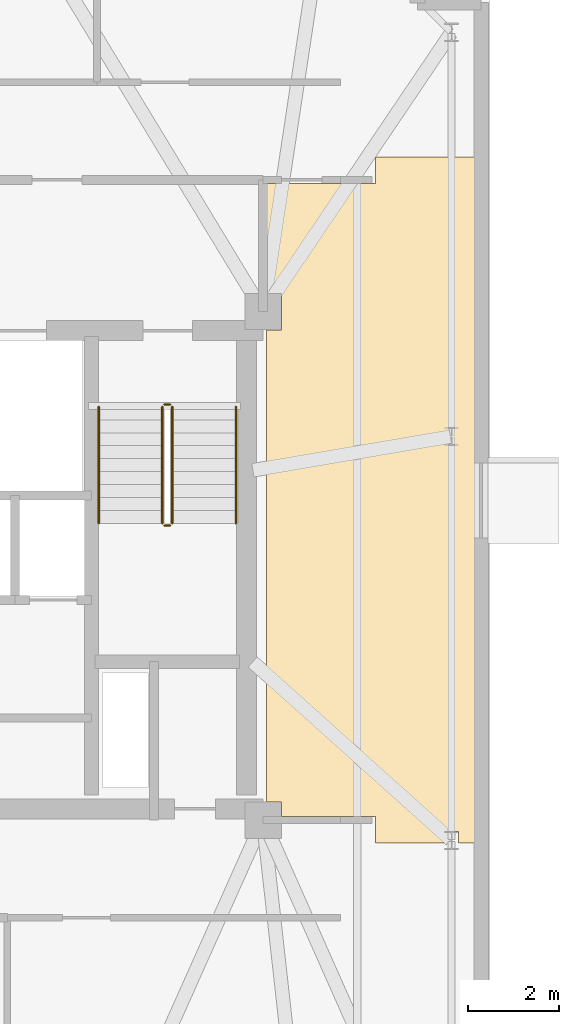
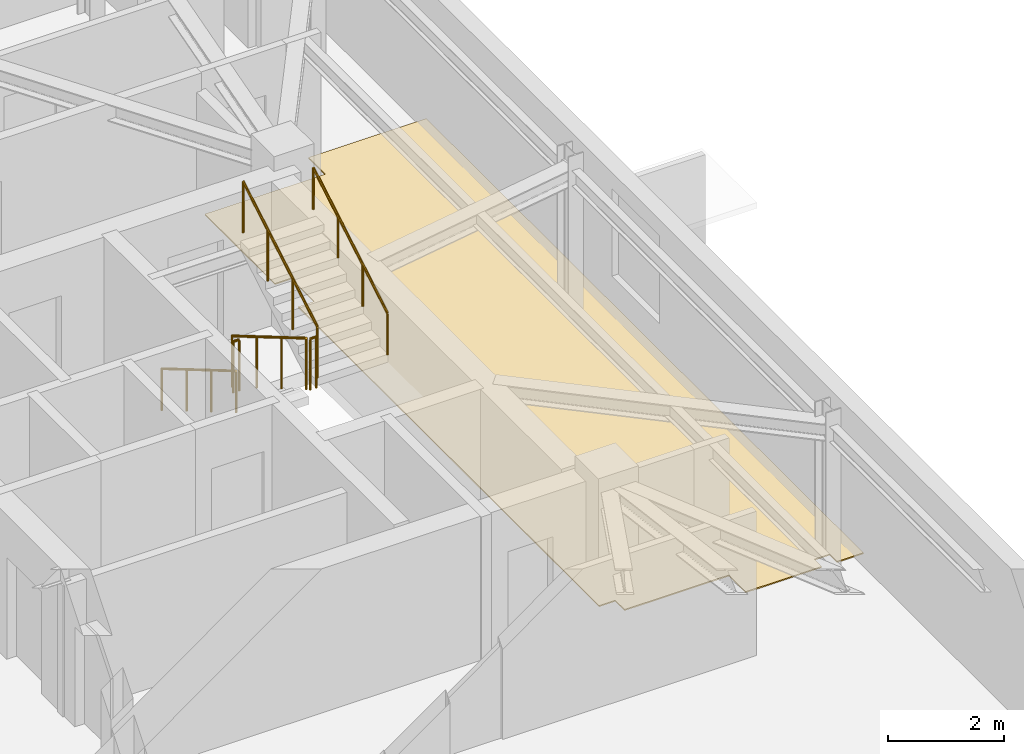
# One storey, part 11 of 11: 6 railings, 1 covering.
"""IFC4 building model written with IfcOpenShell, lengths in metres."""

from ifc_helpers import new_model, si_unit, direction, frame, origin, origin_2d, place, context, subcontext, project, spatial, polyline, circle, outline, extrude, material, layer, layer_set, type_object, element, save


model = new_model("IFC4")

# Units and contexts
model_context = context("Model", 3, precision=1e-05, world=origin(), true_north=direction((0.0, 1.0)))
body_context = subcontext(model_context, "Body", "Model", "MODEL_VIEW")
ifc_project = project(units=[si_unit("LENGTHUNIT", "METRE"), si_unit("AREAUNIT", "SQUARE_METRE"), si_unit("VOLUMEUNIT", "CUBIC_METRE"), si_unit("PLANEANGLEUNIT", "RADIAN"), si_unit("MASSUNIT", "GRAM", prefix="KILO")], contexts=[model_context])

# Site, building, storey
site_placement = place(None, origin())
site = spatial("IfcSite", under=ifc_project, at=site_placement, CompositionType="ELEMENT")
building_placement = place(site_placement, origin())
building = spatial("IfcBuilding", under=site, at=building_placement, Name="Qobustan Lattice House", CompositionType="ELEMENT")
storey_placement = place(building_placement, frame((0.0, 0.0, 248.39990234375)))
storey = spatial("IfcBuildingStorey", under=building, at=storey_placement, Name="L70", CompositionType="ELEMENT", Elevation=248.39990234375)

# Covering
ifc_material_1 = material(Name="Honed Absheron stone terrazzo flooring", Category="masonry")
ifc_layer = layer(ifc_material_1, 0.02490234375)
ifc_layer_set = layer_set([ifc_layer], Name="Honed Absheron stone terrazzo flooring")
covering_type = type_object("IfcCoveringType", Name="COV-TERRAZZO-FLR", PredefinedType="FLOORING", material=ifc_layer_set)
covering_placement = place(storey_placement, origin())
element("IfcCovering", 1, at=covering_placement, inside=storey, type_object=covering_type, Name="L70 Communal study lounge stone terrazzo flooring", PredefinedType="FLOORING", context=body_context, shape_type="SweptSolid", body=[
    extrude(outline(polyline([(21.280029296875, -5.52001953125), (21.280029296875, -6.10009765625), (22.798095703125, -6.10009765625), (22.798095703125, -5.847900390625), (23.10205078125, -5.847900390625), (23.10205078125, -6.10009765625), (23.6298828125, -6.10009765625), (23.6298828125, 9.0), (21.280029296875, 9.0), (21.280029296875, 8.419921875), (18.8798828125, 8.419921875), (18.8798828125, 6.001953125), (19.201904296875, 6.001953125), (19.201904296875, 5.197998046875), (18.8798828125, 5.197998046875), (18.8798828125, -5.197998046875), (19.201904296875, -5.197998046875), (19.201904296875, -5.52001953125), (21.280029296875, -5.52001953125)])), origin(), (0.0, 0.0, 1.0), 0.025146484375),
])

# Railings
ifc_material_2 = material(Name="Brushed stainless steel handrail", Category="steel")
railing_type_1 = type_object("IfcRailingType", Name="RAL-HR-920", PredefinedType="HANDRAIL", material=ifc_material_2)
railing_1_placement = place(storey_placement, frame((15.179931640625, 3.5, 0.16748046875)))
element("IfcRailing", 2, at=railing_1_placement, inside=storey, type_object=railing_type_1, Name="L70 ST-E1 stair handrail 1", PredefinedType="HANDRAIL", context=body_context, shape_type="SweptSolid", body=[
    extrude(circle(Radius=0.02392578125, at=origin_2d()), frame((0.0, 0.0, 0.8759765625), z_axis=(0.0, -0.862113467892, 0.50671527358), x_axis=(1.0, 0.0, 0.0)), (0.0, 0.0, 1.0), 2.97509765625),
    extrude(circle(Radius=0.02099609375, at=origin_2d()), origin(), (0.0, 0.0, 1.0), 0.851806640625),
    extrude(circle(Radius=0.02099609375, at=origin_2d()), frame((0.0, -0.85498046875, 0.50244140625)), (0.0, 0.0, 1.0), 0.851806640625),
    extrude(circle(Radius=0.02099609375, at=origin_2d()), frame((0.0, -1.7099609375, 1.005126953125)), (0.0, 0.0, 1.0), 0.851806640625),
    extrude(circle(Radius=0.02099609375, at=origin_2d()), frame((0.0, -2.56494140625, 1.507568359375)), (0.0, 0.0, 1.0), 0.851806640625),
])
railing_2_placement = place(storey_placement, frame((18.199951171875, 0.93505859375, 1.842529296875)))
element("IfcRailing", 3, at=railing_2_placement, inside=storey, type_object=railing_type_1, Name="L70 ST-E1 stair handrail 2", PredefinedType="HANDRAIL", context=body_context, shape_type="SweptSolid", body=[
    extrude(circle(Radius=0.02392578125, at=origin_2d()), frame((0.0, 0.0, 0.8759765625), z_axis=(0.0, 0.862113467892, 0.50671527358), x_axis=(-1.0, 0.0, 0.0)), (0.0, 0.0, 1.0), 2.97509765625),
    extrude(circle(Radius=0.02099609375, at=origin_2d()), origin(), (0.0, 0.0, 1.0), 0.851806640625),
    extrude(circle(Radius=0.02099609375, at=origin_2d()), frame((0.0, 0.85498046875, 0.50244140625)), (0.0, 0.0, 1.0), 0.851806640625),
    extrude(circle(Radius=0.02099609375, at=origin_2d()), frame((0.0, 1.7099609375, 1.005126953125)), (0.0, 0.0, 1.0), 0.851806640625),
    extrude(circle(Radius=0.02099609375, at=origin_2d()), frame((0.0, 2.56494140625, 1.507568359375)), (0.0, 0.0, 1.0), 0.851806640625),
])
ifc_material_3 = material(Name="Painted galvanized steel guardrail", Category="steel")
railing_type_2 = type_object("IfcRailingType", Name="RAL-STG-1150", PredefinedType="GUARDRAIL", material=ifc_material_3)
railing_3_placement = place(storey_placement, frame((16.580078125, 3.5, 0.16748046875)))
element("IfcRailing", 4, at=railing_3_placement, inside=storey, type_object=railing_type_2, Name="L70 ST-E1 stair guard 1", PredefinedType="GUARDRAIL", context=body_context, shape_type="SweptSolid", body=[
    extrude(circle(Radius=0.02392578125, at=origin_2d()), frame((0.0, 0.0, 1.076171875), z_axis=(0.0, -0.862113467892, 0.50671527358), x_axis=(1.0, 0.0, 0.0)), (0.0, 0.0, 1.0), 2.97509765625),
    extrude(circle(Radius=0.02099609375, at=origin_2d()), origin(), (0.0, 0.0, 1.0), 1.052001953125),
    extrude(circle(Radius=0.02099609375, at=origin_2d()), frame((0.0, -0.85498046875, 0.50244140625)), (0.0, 0.0, 1.0), 1.052001953125),
    extrude(circle(Radius=0.02099609375, at=origin_2d()), frame((0.0, -1.7099609375, 1.005126953125)), (0.0, 0.0, 1.0), 1.052001953125),
    extrude(circle(Radius=0.02099609375, at=origin_2d()), frame((0.0, -2.56494140625, 1.507568359375)), (0.0, 0.0, 1.0), 1.052001953125),
])
railing_4_placement = place(storey_placement, frame((16.6298828125, 0.885009765625, 1.675048828125)))
element("IfcRailing", 5, at=railing_4_placement, inside=storey, type_object=railing_type_2, Name="L70 ST-E1 stair guard 2", PredefinedType="GUARDRAIL", context=body_context, shape_type="SweptSolid", body=[
    extrude(circle(Radius=0.02392578125, at=origin_2d()), frame((0.0, 0.0, 1.076171875), z_axis=(1.0, 0.0, 0.0), x_axis=(0.0, 1.0, 0.0)), (0.0, 0.0, 1.0), 0.1201171875),
    extrude(circle(Radius=0.02099609375, at=origin_2d()), origin(), (0.0, 0.0, 1.0), 1.052001953125),
    extrude(circle(Radius=0.02099609375, at=origin_2d()), frame((0.1201171875, 0.0, 0.0)), (0.0, 0.0, 1.0), 1.052001953125),
])
railing_5_placement = place(storey_placement, frame((16.800048828125, 0.93505859375, 1.842529296875)))
element("IfcRailing", 6, at=railing_5_placement, inside=storey, type_object=railing_type_2, Name="L70 ST-E1 stair guard 3", PredefinedType="GUARDRAIL", context=body_context, shape_type="SweptSolid", body=[
    extrude(circle(Radius=0.02392578125, at=origin_2d()), frame((0.0, 0.0, 1.076171875), z_axis=(0.0, 0.862113467892, 0.50671527358), x_axis=(-1.0, 0.0, 0.0)), (0.0, 0.0, 1.0), 2.97509765625),
    extrude(circle(Radius=0.02099609375, at=origin_2d()), origin(), (0.0, 0.0, 1.0), 1.052001953125),
    extrude(circle(Radius=0.02099609375, at=origin_2d()), frame((0.0, 0.85498046875, 0.50244140625)), (0.0, 0.0, 1.0), 1.052001953125),
    extrude(circle(Radius=0.02099609375, at=origin_2d()), frame((0.0, 1.7099609375, 1.005126953125)), (0.0, 0.0, 1.0), 1.052001953125),
    extrude(circle(Radius=0.02099609375, at=origin_2d()), frame((0.0, 2.56494140625, 1.507568359375)), (0.0, 0.0, 1.0), 1.052001953125),
])
railing_6_placement = place(storey_placement, frame((16.6298828125, 3.550048828125, 0.0)))
element("IfcRailing", 7, at=railing_6_placement, inside=storey, type_object=railing_type_2, Name="L70 ST-E1 stair guard 4", PredefinedType="GUARDRAIL", context=body_context, shape_type="SweptSolid", body=[
    extrude(circle(Radius=0.02392578125, at=origin_2d()), frame((0.0, 0.0, 1.076171875), z_axis=(1.0, 0.0, 0.0), x_axis=(0.0, 1.0, 0.0)), (0.0, 0.0, 1.0), 0.1201171875),
    extrude(circle(Radius=0.02099609375, at=origin_2d()), origin(), (0.0, 0.0, 1.0), 1.052001953125),
    extrude(circle(Radius=0.02099609375, at=origin_2d()), frame((0.1201171875, 0.0, 0.0)), (0.0, 0.0, 1.0), 1.052001953125),
])

save(model, "model.ifc")
